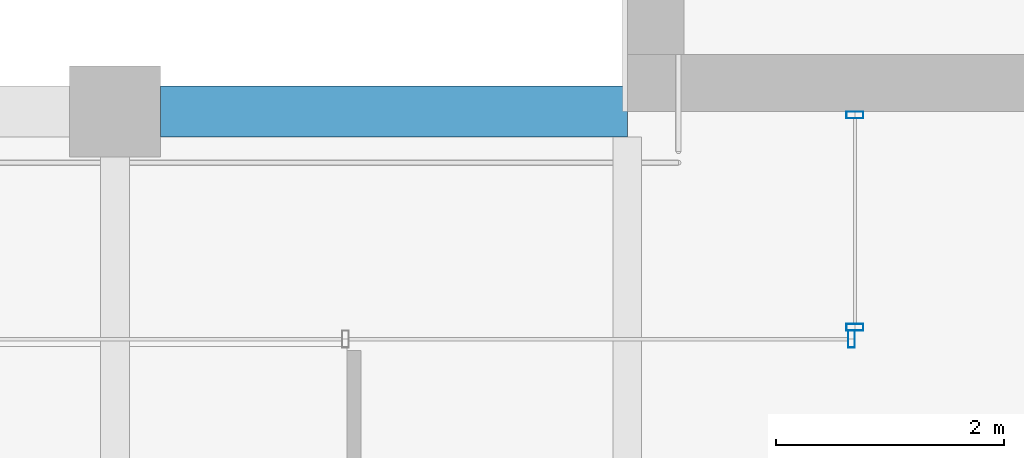
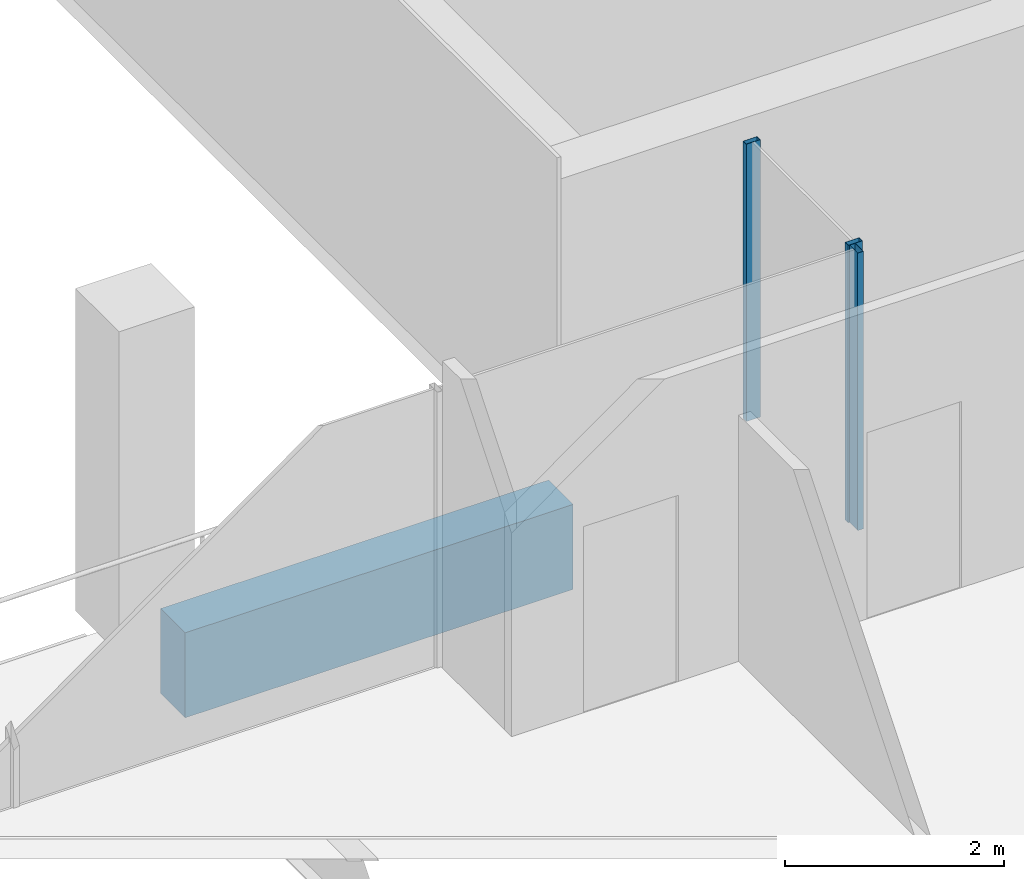
# One storey, part 6 of 30: 3 members, 1 beam, 2 elements without a shape of their own.
"""IFC4 building model written with IfcOpenShell, lengths in metres."""

from ifc_helpers import new_model, si_unit, direction, frame, origin, origin_2d, place, context, subcontext, project, spatial, rectangle, hollow_rectangle, extrude, material, material_profile, profile_set, type_object, element, aggregate, save


model = new_model("IFC4")

# Units and contexts
model_context = context("Model", 3, precision=1e-05, world=origin(), true_north=direction((0.0, 1.0)))
body_context = subcontext(model_context, "Body", "Model", "MODEL_VIEW")
ifc_project = project(units=[si_unit("LENGTHUNIT", "METRE"), si_unit("AREAUNIT", "SQUARE_METRE"), si_unit("VOLUMEUNIT", "CUBIC_METRE"), si_unit("PLANEANGLEUNIT", "RADIAN"), si_unit("MASSUNIT", "GRAM", prefix="KILO")], contexts=[model_context])

# Site, building, storey
site_placement = place(None, origin())
site = spatial("IfcSite", under=ifc_project, at=site_placement, CompositionType="ELEMENT")
building_placement = place(site_placement, origin())
building = spatial("IfcBuilding", under=site, at=building_placement, Name="Altepetl Exchange Towers", CompositionType="ELEMENT")
storey_placement = place(building_placement, frame((0.0, 0.0, 231.60009765625)))
storey = spatial("IfcBuildingStorey", under=building, at=storey_placement, Name="L59", CompositionType="ELEMENT", Elevation=231.60009765625)

# Curtain wall, members
ifc_material_1 = material(Name="Aluminium 6063-T6 glazing", Category="aluminium")
curtain_wall_type = type_object("IfcCurtainWallType", Name="Loggia glazing system", PredefinedType="NOTDEFINED", material=ifc_material_1)
curtain_wall_1_placement = place(storey_placement, origin())
curtain_wall_1 = element("IfcCurtainWall", 1, at=curtain_wall_1_placement, inside=storey, type_object=curtain_wall_type, Name="CW1 run", PredefinedType="NOTDEFINED")
ifc_material_2 = material(Name="Aluminium 6063-T6", Category="aluminium")
ifc_material_profile_1 = material_profile(ifc_material_2, hollow_rectangle(XDim=0.06005859375, YDim=0.14990234375, WallThickness=0.0029296875, at=origin_2d()), Name="Mullion 60x150 aluminium")
ifc_profile_set_1 = profile_set([ifc_material_profile_1], Name="Aluminium 6063-T6")
member_type = type_object("IfcMemberType", Name="Mullion 60x150 aluminium", PredefinedType="MULLION", material=ifc_profile_set_1)
member_1_placement = place(storey_placement, frame((42.5, 40.469970703125, 0.0), z_axis=(0.0, 0.0, 1.0), x_axis=(0.0, -1.0, 0.0)))
member_1 = element("IfcMember", 2, at=member_1_placement, type_object=member_type, Name="MU1 mullion", PredefinedType="MULLION", context=body_context, shape_type="SweptSolid", body=[
    extrude(hollow_rectangle(XDim=0.06005859375, YDim=0.14990234375, WallThickness=0.0029296875, at=origin_2d()), origin(), (0.0, 0.0, 1.0), 3.099853515625),
])
member_2_placement = place(storey_placement, frame((42.5, 38.60498046875, 0.0), z_axis=(0.0, 0.0, 1.0), x_axis=(0.0, -1.0, 0.0)))
member_2 = element("IfcMember", 3, at=member_2_placement, type_object=member_type, Name="MU1 mullion", PredefinedType="MULLION", context=body_context, shape_type="SweptSolid", body=[
    extrude(hollow_rectangle(XDim=0.06005859375, YDim=0.14990234375, WallThickness=0.0029296875, at=origin_2d()), origin(), (0.0, 0.0, 1.0), 3.099853515625),
])
aggregate(curtain_wall_1, [member_1, member_2])

# Curtain wall, member
curtain_wall_2_placement = place(storey_placement, origin())
curtain_wall_2 = element("IfcCurtainWall", 4, at=curtain_wall_2_placement, inside=storey, type_object=curtain_wall_type, Name="CW1 run", PredefinedType="NOTDEFINED")
member_3_placement = place(storey_placement, frame((42.469970703125, 38.5, 0.0), z_axis=(0.0, 0.0, 1.0), x_axis=(-1.0, 0.0, 0.0)))
member_3 = element("IfcMember", 5, at=member_3_placement, type_object=member_type, Name="MU1 mullion", PredefinedType="MULLION", context=body_context, shape_type="SweptSolid", body=[
    extrude(hollow_rectangle(XDim=0.06005859375, YDim=0.14990234375, WallThickness=0.0029296875, at=origin_2d()), origin(), (0.0, 0.0, 1.0), 3.099853515625),
])
aggregate(curtain_wall_2, [member_3])

# Beam
ifc_material_3 = material(Name="Concrete C50/60 precast with tezontle facing", Category="concrete")
ifc_material_profile_2 = material_profile(ifc_material_3, rectangle(XDim=0.449951171875, YDim=0.949951171875, at=origin_2d()), Name="450 x 950")
ifc_profile_set_2 = profile_set([ifc_material_profile_2], Name="Concrete C50/60 precast with tezontle facing")
beam_type = type_object("IfcBeamType", Name="Spandrel beam 450x950 tezontle", PredefinedType="SPANDREL", material=ifc_profile_set_2)
beam_placement = place(storey_placement, frame((40.5, 40.5, -0.625), z_axis=(-1.0, 0.0, 0.0), x_axis=(0.0, -1.0, 0.0)))
element("IfcBeam", 6, at=beam_placement, inside=storey, type_object=beam_type, Name="sp:A:L59:033", PredefinedType="SPANDREL", context=body_context, shape_type="SweptSolid", body=[
    extrude(rectangle(XDim=0.449951171875, YDim=0.949951171875, at=origin_2d()), origin(), (0.0, 0.0, 1.0), 4.10009765625),
])

save(model, "model.ifc")
